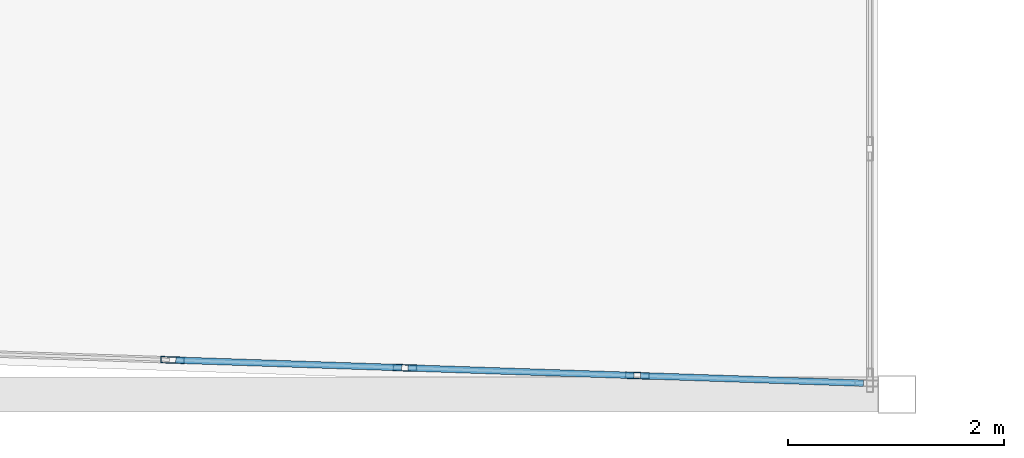
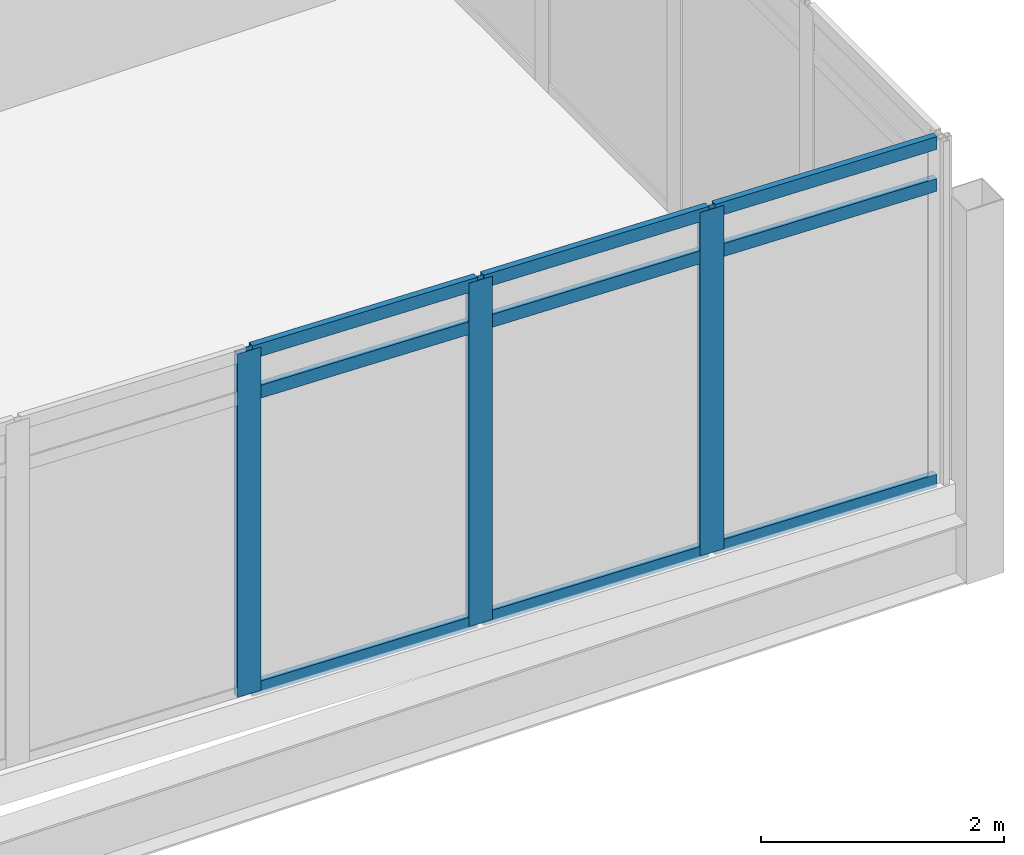
# One storey, part 7 of 37: 12 members, 1 element without a shape of its own.
"""IFC4 building model written with IfcOpenShell, lengths in metres."""

from ifc_helpers import new_model, si_unit, direction, frame, origin, origin_2d, place, context, subcontext, project, spatial, hollow_rectangle, extrude, material, material_profile, profile_set, type_object, element, aggregate, save


model = new_model("IFC4")

# Units and contexts
model_context = context("Model", 3, precision=1e-05, world=origin(), true_north=direction((0.0, 1.0)))
body_context = subcontext(model_context, "Body", "Model", "MODEL_VIEW")
ifc_project = project(units=[si_unit("LENGTHUNIT", "METRE"), si_unit("AREAUNIT", "SQUARE_METRE"), si_unit("VOLUMEUNIT", "CUBIC_METRE"), si_unit("PLANEANGLEUNIT", "RADIAN"), si_unit("MASSUNIT", "GRAM", prefix="KILO")], contexts=[model_context])

# Site, building, storey
site_placement = place(None, origin())
site = spatial("IfcSite", under=ifc_project, at=site_placement, CompositionType="ELEMENT")
building_placement = place(site_placement, origin())
building = spatial("IfcBuilding", under=site, at=building_placement, Name="Ostrander Bayou Hotel Tower", CompositionType="ELEMENT")
storey_placement = place(building_placement, frame((0.0, 0.0, 198.25)))
storey = spatial("IfcBuildingStorey", under=building, at=storey_placement, Name="L49", CompositionType="ELEMENT", Elevation=198.25)

# Curtain wall, members
ifc_material_1 = material(Name="Aluminium and clear glass", Category="aluminium")
curtain_wall_type = type_object("IfcCurtainWallType", Name="CW-BAR glazed wall", PredefinedType="NOTDEFINED", material=ifc_material_1)
curtain_wall_placement = place(storey_placement, origin())
curtain_wall = element("IfcCurtainWall", 1, at=curtain_wall_placement, inside=storey, type_object=curtain_wall_type, Name="CW-BAR L49:SB4S:T", PredefinedType="NOTDEFINED")
ifc_material_2 = material(Name="Aluminium", Category="aluminium")
ifc_material_profile_1 = material_profile(ifc_material_2, hollow_rectangle(XDim=0.06005859375, YDim=0.219970703125, WallThickness=0.00390625, at=origin_2d()))
ifc_profile_set_1 = profile_set([ifc_material_profile_1], Name="Aluminium")
member_type_1 = type_object("IfcMemberType", Name="CW-BR mullion 60 x 220 mm", PredefinedType="MULLION", material=ifc_profile_set_1)
member_1_placement = place(storey_placement, frame((5.3896484375, -29.83056640625, 0.0), z_axis=(0.0, 0.0, 1.0), x_axis=(0.03350511268, 0.999438546097, 0.0)))
member_1 = element("IfcMember", 2, at=member_1_placement, type_object=member_type_1, Name="CW-BAR mullion 9", PredefinedType="MULLION", context=body_context, shape_type="SweptSolid", body=[
    extrude(hollow_rectangle(XDim=0.06005859375, YDim=0.219970703125, WallThickness=0.00390625, at=origin_2d()), origin(), (0.0, 0.0, 1.0), 3.449951171875),
])
member_2_placement = place(storey_placement, frame((7.54541015625, -29.903076171875, 0.0), z_axis=(0.0, 0.0, 1.0), x_axis=(0.03350511268, 0.999438546097, 0.0)))
member_2 = element("IfcMember", 3, at=member_2_placement, type_object=member_type_1, Name="CW-BAR mullion 10", PredefinedType="MULLION", context=body_context, shape_type="SweptSolid", body=[
    extrude(hollow_rectangle(XDim=0.06005859375, YDim=0.219970703125, WallThickness=0.00390625, at=origin_2d()), origin(), (0.0, 0.0, 1.0), 3.449951171875),
])
member_3_placement = place(storey_placement, frame((9.701416015625, -29.975341796875, 0.0), z_axis=(0.0, 0.0, 1.0), x_axis=(0.03350511268, 0.999438546097, 0.0)))
member_3 = element("IfcMember", 4, at=member_3_placement, type_object=member_type_1, Name="CW-BAR mullion 11", PredefinedType="MULLION", context=body_context, shape_type="SweptSolid", body=[
    extrude(hollow_rectangle(XDim=0.06005859375, YDim=0.219970703125, WallThickness=0.00390625, at=origin_2d()), origin(), (0.0, 0.0, 1.0), 3.449951171875),
])
ifc_material_3 = material(Name="Aluminium", Category="aluminium")
ifc_material_profile_2 = material_profile(ifc_material_3, hollow_rectangle(XDim=0.06005859375, YDim=0.1298828125, WallThickness=0.00390625, at=origin_2d()))
ifc_profile_set_2 = profile_set([ifc_material_profile_2], Name="Aluminium")
member_type_2 = type_object("IfcMemberType", Name="CW-BR transom 60 x 130 mm", PredefinedType="USERDEFINED", material=ifc_profile_set_2)
member_4_placement = place(storey_placement, frame((5.419677734375, -29.831787109375, 0.030029296875), z_axis=(0.999441672059, -0.033411736736, 0.0), x_axis=(0.033411736736, 0.999441672059, 0.0)))
member_4 = element("IfcMember", 5, at=member_4_placement, type_object=member_type_2, Name="CW-BAR transom 9.1", ObjectType="TRANSOM", PredefinedType="USERDEFINED", context=body_context, shape_type="SweptSolid", body=[
    extrude(hollow_rectangle(XDim=0.06005859375, YDim=0.1298828125, WallThickness=0.00390625, at=origin_2d()), origin(), (0.0, 0.0, 1.0), 2.09716796875),
])
member_5_placement = place(storey_placement, frame((5.419677734375, -29.831787109375, 3.0), z_axis=(0.999441672059, -0.033411736736, 0.0), x_axis=(0.033411736736, 0.999441672059, 0.0)))
member_5 = element("IfcMember", 6, at=member_5_placement, type_object=member_type_2, Name="CW-BAR transom 9.2", ObjectType="TRANSOM", PredefinedType="USERDEFINED", context=body_context, shape_type="SweptSolid", body=[
    extrude(hollow_rectangle(XDim=0.06005859375, YDim=0.1298828125, WallThickness=0.00390625, at=origin_2d()), origin(), (0.0, 0.0, 1.0), 2.09716796875),
])
member_6_placement = place(storey_placement, frame((5.419677734375, -29.831787109375, 3.419921875), z_axis=(0.999441672059, -0.033411736736, 0.0), x_axis=(0.033411736736, 0.999441672059, 0.0)))
member_6 = element("IfcMember", 7, at=member_6_placement, type_object=member_type_2, Name="CW-BAR transom 9.3", ObjectType="TRANSOM", PredefinedType="USERDEFINED", context=body_context, shape_type="SweptSolid", body=[
    extrude(hollow_rectangle(XDim=0.06005859375, YDim=0.1298828125, WallThickness=0.00390625, at=origin_2d()), origin(), (0.0, 0.0, 1.0), 2.09716796875),
])
member_7_placement = place(storey_placement, frame((7.575439453125, -29.904052734375, 0.030029296875), z_axis=(0.999441672059, -0.033411736736, 0.0), x_axis=(0.033411736736, 0.999441672059, 0.0)))
member_7 = element("IfcMember", 8, at=member_7_placement, type_object=member_type_2, Name="CW-BAR transom 10.1", ObjectType="TRANSOM", PredefinedType="USERDEFINED", context=body_context, shape_type="SweptSolid", body=[
    extrude(hollow_rectangle(XDim=0.06005859375, YDim=0.1298828125, WallThickness=0.00390625, at=origin_2d()), origin(), (0.0, 0.0, 1.0), 2.09716796875),
])
member_8_placement = place(storey_placement, frame((7.575439453125, -29.904052734375, 3.0), z_axis=(0.999441672059, -0.033411736736, 0.0), x_axis=(0.033411736736, 0.999441672059, 0.0)))
member_8 = element("IfcMember", 9, at=member_8_placement, type_object=member_type_2, Name="CW-BAR transom 10.2", ObjectType="TRANSOM", PredefinedType="USERDEFINED", context=body_context, shape_type="SweptSolid", body=[
    extrude(hollow_rectangle(XDim=0.06005859375, YDim=0.1298828125, WallThickness=0.00390625, at=origin_2d()), origin(), (0.0, 0.0, 1.0), 2.09716796875),
])
member_9_placement = place(storey_placement, frame((7.575439453125, -29.904052734375, 3.419921875), z_axis=(0.999441672059, -0.033411736736, 0.0), x_axis=(0.033411736736, 0.999441672059, 0.0)))
member_9 = element("IfcMember", 10, at=member_9_placement, type_object=member_type_2, Name="CW-BAR transom 10.3", ObjectType="TRANSOM", PredefinedType="USERDEFINED", context=body_context, shape_type="SweptSolid", body=[
    extrude(hollow_rectangle(XDim=0.06005859375, YDim=0.1298828125, WallThickness=0.00390625, at=origin_2d()), origin(), (0.0, 0.0, 1.0), 2.09716796875),
])
member_10_placement = place(storey_placement, frame((9.7314453125, -29.976318359375, 0.030029296875), z_axis=(0.999441098501, -0.033428889124, 0.0), x_axis=(0.033428889124, 0.999441098501, 0.0)))
member_10 = element("IfcMember", 11, at=member_10_placement, type_object=member_type_2, Name="CW-BAR transom 11.1", ObjectType="TRANSOM", PredefinedType="USERDEFINED", context=body_context, shape_type="SweptSolid", body=[
    extrude(hollow_rectangle(XDim=0.06005859375, YDim=0.1298828125, WallThickness=0.00390625, at=origin_2d()), origin(), (0.0, 0.0, 1.0), 2.06689453125),
])
member_11_placement = place(storey_placement, frame((9.7314453125, -29.976318359375, 3.0), z_axis=(0.999441098501, -0.033428889124, 0.0), x_axis=(0.033428889124, 0.999441098501, 0.0)))
member_11 = element("IfcMember", 12, at=member_11_placement, type_object=member_type_2, Name="CW-BAR transom 11.2", ObjectType="TRANSOM", PredefinedType="USERDEFINED", context=body_context, shape_type="SweptSolid", body=[
    extrude(hollow_rectangle(XDim=0.06005859375, YDim=0.1298828125, WallThickness=0.00390625, at=origin_2d()), origin(), (0.0, 0.0, 1.0), 2.06689453125),
])
member_12_placement = place(storey_placement, frame((9.7314453125, -29.976318359375, 3.419921875), z_axis=(0.999441098501, -0.033428889124, 0.0), x_axis=(0.033428889124, 0.999441098501, 0.0)))
member_12 = element("IfcMember", 13, at=member_12_placement, type_object=member_type_2, Name="CW-BAR transom 11.3", ObjectType="TRANSOM", PredefinedType="USERDEFINED", context=body_context, shape_type="SweptSolid", body=[
    extrude(hollow_rectangle(XDim=0.06005859375, YDim=0.1298828125, WallThickness=0.00390625, at=origin_2d()), origin(), (0.0, 0.0, 1.0), 2.06689453125),
])
aggregate(curtain_wall, [member_1, member_2, member_3, member_4, member_5, member_6, member_7, member_8, member_9, member_10, member_11, member_12])

save(model, "model.ifc")
